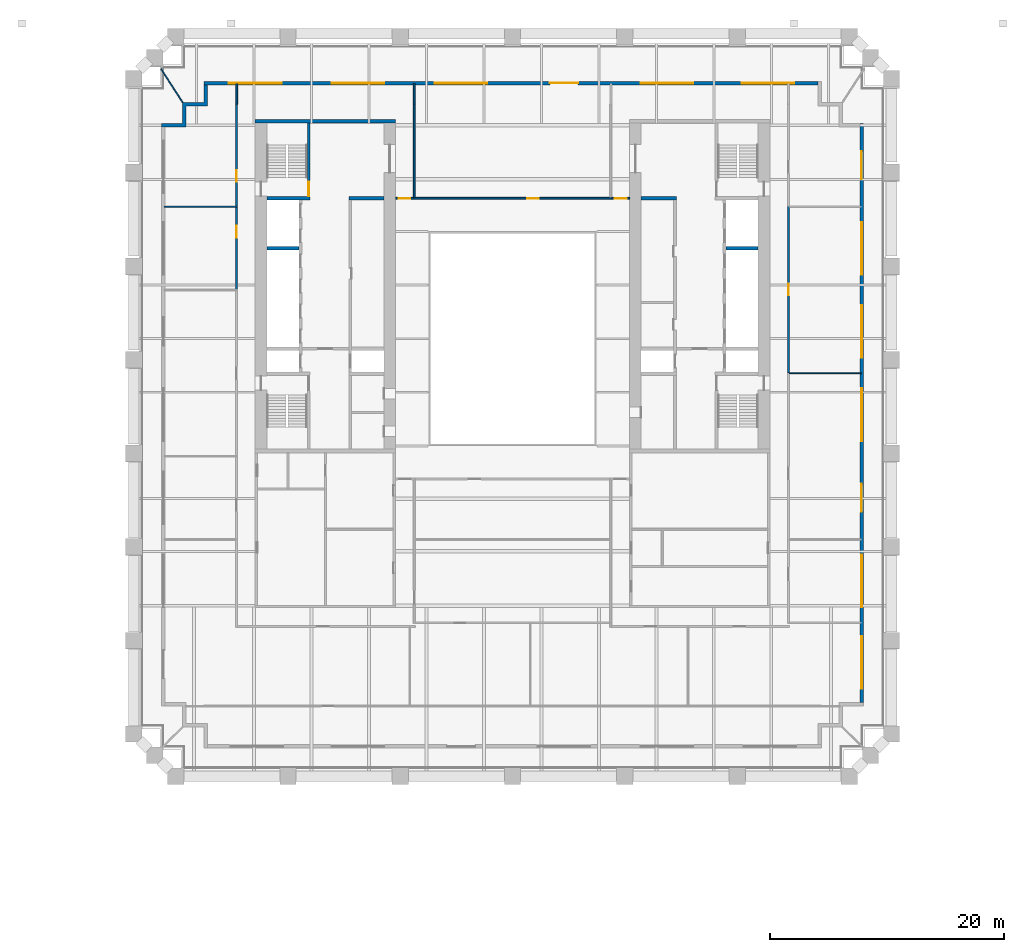
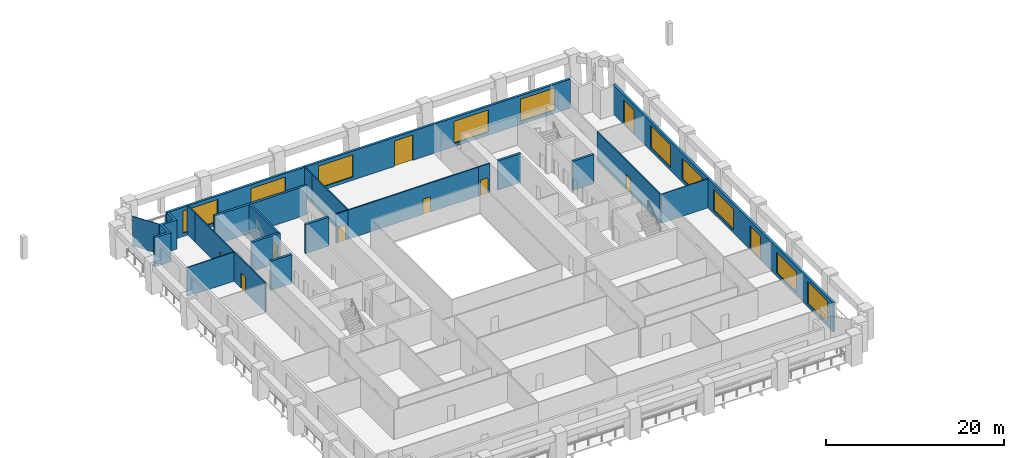
# One storey, part 7 of 10: 22 walls, 10 doors, 10 windows, 20 openings.
"""IFC4 building model written with IfcOpenShell, lengths in metres."""

from ifc_helpers import new_model, si_unit, direction, frame, frame_2d, origin, place, context, subcontext, project, spatial, polyline, rectangle, outline, extrude, material, layer, layer_set, type_object, element, fill, save


model = new_model("IFC4")

# Units and contexts
model_context = context("Model", 3, precision=1e-05, world=origin(), true_north=direction((0.0, 1.0)))
body_context = subcontext(model_context, "Body", "Model", "MODEL_VIEW")
ifc_project = project(units=[si_unit("LENGTHUNIT", "METRE"), si_unit("AREAUNIT", "SQUARE_METRE"), si_unit("VOLUMEUNIT", "CUBIC_METRE"), si_unit("PLANEANGLEUNIT", "RADIAN"), si_unit("MASSUNIT", "GRAM", prefix="KILO")], contexts=[model_context])

# Site, building, storey
site_placement = place(None, origin())
site = spatial("IfcSite", under=ifc_project, at=site_placement, CompositionType="ELEMENT")
building_placement = place(site_placement, origin())
building = spatial("IfcBuilding", under=site, at=building_placement, Name="Ogive Exchange Tower", CompositionType="ELEMENT")
storey_placement = place(building_placement, frame((0.0, 0.0, 48.0)))
storey = spatial("IfcBuildingStorey", under=building, at=storey_placement, Name="L09", CompositionType="ELEMENT", Elevation=48.0)

# Walls
ifc_material_1 = material(Name="Gypsum board partition")
ifc_layer_1 = layer(ifc_material_1, 0.300048828125)
ifc_layer_set_1 = layer_set([ifc_layer_1], Name="Core room partition 300 gypsum")
wall_type_1 = type_object("IfcWallType", Name="Core room partition 300 gypsum", PredefinedType="PARTITIONING", material=ifc_layer_set_1)
for number, where, z_axis, x_axis, name in (
    (1, (-14.0, 19.0, 0.0), (0.0, 0.0, 1.0), (1.0, 0.0, 0.0), "W row B room end wall 7"),
    (2, (11.0, 19.0, 0.0), (0.0, 0.0, 1.0), (1.0, 0.0, 0.0), "E row B room end wall 7"),
):
    element("IfcWall", number, at=place(storey_placement, frame(where, z_axis=z_axis, x_axis=x_axis)), inside=storey, type_object=wall_type_1, Name=name, PredefinedType="PARTITIONING", context=body_context, shape_type="SweptSolid", body=[
        extrude(rectangle(XDim=3.0, YDim=0.300048828125, at=frame_2d((1.5, 0.0))), origin(), (0.0, 0.0, 1.0), 4.0),
    ])

# Wall, opening, door
ifc_material_2 = material(Name="Fire partition EI 60 150")
ifc_layer_2 = layer(ifc_material_2, 0.14990234375)
ifc_layer_set_2 = layer_set([ifc_layer_2], Name="Fire partition EI 60 150")
wall_type_2 = type_object("IfcWallType", Name="Fire partition EI 60 150", PredefinedType="PARTITIONING", material=ifc_layer_set_2)
wall_1_placement = place(storey_placement, frame((-23.60009765625, 11.219970703125, 0.0), z_axis=(0.0, 0.0, 1.0), x_axis=(0.0, 1.0, 0.0)))
wall_1 = element("IfcWall", 3, at=wall_1_placement, inside=storey, type_object=wall_type_2, Name="L09-PWL-010", PredefinedType="PARTITIONING", context=body_context, shape_type="SweptSolid", body=[
    extrude(rectangle(XDim=7.02001953125, YDim=0.14990234375, at=frame_2d((3.510009765625, 0.0))), origin(), (0.0, 0.0, 1.0), 4.0),
])
opening_1_placement = place(wall_1_placement, frame((4.419921875, 0.0, 0.0)))
opening_1 = element("IfcOpeningElement", 4, at=opening_1_placement, cuts=wall_1, Name="Opening L09-I04", PredefinedType="OPENING", context=body_context, shape_type="SweptSolid", body=[
    extrude(rectangle(XDim=1.0, YDim=2.10009765625, at=frame_2d((0.5, 1.050048828125))), frame((0.0, 0.0849609375, 0.0), z_axis=(0.0, -1.0, 0.0), x_axis=(1.0, 0.0, 0.0)), (0.0, 0.0, 1.0), 0.169921875),
])
ifc_material_3 = material(Name="Fire door FD 30S 1000 x 2100")
door_type_1 = type_object("IfcDoorType", Name="Fire door FD 30S 1000 x 2100", OperationType="NOTDEFINED", PredefinedType="DOOR", material=ifc_material_3)
door_1_placement = place(opening_1_placement, origin())
door_1 = element("IfcDoor", 5, at=door_1_placement, inside=storey, type_object=door_type_1, Name="L09-IDR-004", ObjectType="DT3", OperationType="SINGLE_SWING_LEFT", OverallHeight=2.10009765625, OverallWidth=1.0, PredefinedType="DOOR", context=body_context, shape_type="SweptSolid", body=[
    extrude(rectangle(XDim=1.0, YDim=2.10009765625, at=frame_2d((0.5, 1.050048828125))), frame((0.0, 0.02490234375, 0.0), z_axis=(0.0, -1.0, 0.0), x_axis=(1.0, 0.0, 0.0)), (0.0, 0.0, 1.0), 0.050048828125),
])
fill(opening_1, door_1)

wall_2_placement = place(storey_placement, frame((-23.60009765625, 18.340087890625, 0.0), z_axis=(0.0, 0.0, 1.0), x_axis=(0.0, 1.0, 0.0)))
wall_2 = element("IfcWall", 6, at=wall_2_placement, inside=storey, type_object=wall_type_2, Name="L09-PWL-011", PredefinedType="PARTITIONING", context=body_context, shape_type="SweptSolid", body=[
    extrude(rectangle(XDim=8.7099609375, YDim=0.14990234375, at=frame_2d((4.35498046875, 0.0))), origin(), (0.0, 0.0, 1.0), 4.0),
])
opening_2_placement = place(wall_2_placement, frame((2.06005859375, 0.0, 0.0)))
opening_2 = element("IfcOpeningElement", 7, at=opening_2_placement, cuts=wall_2, Name="Opening L09-I09", PredefinedType="OPENING", context=body_context, shape_type="SweptSolid", body=[
    extrude(rectangle(XDim=1.0, YDim=2.10009765625, at=frame_2d((0.5, 1.050048828125))), frame((0.0, 0.0849609375, 0.0), z_axis=(0.0, -1.0, 0.0), x_axis=(1.0, 0.0, 0.0)), (0.0, 0.0, 1.0), 0.169921875),
])
door_2_placement = place(opening_2_placement, origin())
door_2 = element("IfcDoor", 8, at=door_2_placement, inside=storey, type_object=door_type_1, Name="L09-IDR-009", ObjectType="DT3", OperationType="SINGLE_SWING_RIGHT", OverallHeight=2.10009765625, OverallWidth=1.0, PredefinedType="DOOR", context=body_context, shape_type="SweptSolid", body=[
    extrude(rectangle(XDim=1.0, YDim=2.10009765625, at=frame_2d((0.5, 1.050048828125))), frame((0.0, 0.02490234375, 0.0), z_axis=(0.0, -1.0, 0.0), x_axis=(1.0, 0.0, 0.0)), (0.0, 0.0, 1.0), 0.050048828125),
])
fill(opening_2, door_2)

# Walls
for number, where, z_axis, x_axis, name in (
    (9, (-23.590087890625, 27.050048828125, 0.0), (0.0, 0.0, 1.0), (0.0, 1.0, 0.0), "L09-PWL-012"),
    (10, (-8.409912109375, 28.800048828125, 0.0), (0.0, 0.0, 1.0), (0.0, -1.0, 0.0), "L09-PWL-016"),
):
    element("IfcWall", number, at=place(storey_placement, frame(where, z_axis=z_axis, x_axis=x_axis)), inside=storey, type_object=wall_type_2, Name=name, PredefinedType="PARTITIONING", context=body_context, shape_type="SweptSolid", body=[
        extrude(rectangle(XDim=1.75, YDim=0.14990234375, at=frame_2d((0.875, 0.0))), origin(), (0.0, 0.0, 1.0), 4.0),
    ])

# Wall, opening, door
wall_3_placement = place(storey_placement, frame((-8.47509765625, 19.0, 0.0), z_axis=(0.0, 0.0, 1.0), x_axis=(1.0, 0.0, 0.0)))
wall_3 = element("IfcWall", 11, at=wall_3_placement, inside=storey, type_object=wall_type_2, Name="L09-PWL-020", PredefinedType="PARTITIONING", context=body_context, shape_type="SweptSolid", body=[
    extrude(rectangle(XDim=16.9501953125, YDim=0.14990234375, at=frame_2d((8.47509765625, 0.0))), origin(), (0.0, 0.0, 1.0), 4.0),
])
opening_3_placement = place(wall_3_placement, frame((9.72509765625, 0.0, 0.0)))
opening_3 = element("IfcOpeningElement", 12, at=opening_3_placement, cuts=wall_3, Name="Opening L09-I08", PredefinedType="OPENING", context=body_context, shape_type="SweptSolid", body=[
    extrude(rectangle(XDim=1.0, YDim=2.10009765625, at=frame_2d((0.5, 1.050048828125))), frame((0.0, 0.0849609375, 0.0), z_axis=(0.0, -1.0, 0.0), x_axis=(1.0, 0.0, 0.0)), (0.0, 0.0, 1.0), 0.169921875),
])
door_3_placement = place(opening_3_placement, origin())
door_3 = element("IfcDoor", 13, at=door_3_placement, inside=storey, type_object=door_type_1, Name="L09-IDR-008", ObjectType="DT3", OperationType="SINGLE_SWING_RIGHT", OverallHeight=2.10009765625, OverallWidth=1.0, PredefinedType="DOOR", context=body_context, shape_type="SweptSolid", body=[
    extrude(rectangle(XDim=1.0, YDim=2.10009765625, at=frame_2d((0.5, 1.050048828125))), frame((0.0, 0.02490234375, 0.0), z_axis=(0.0, -1.0, 0.0), x_axis=(1.0, 0.0, 0.0)), (0.0, 0.0, 1.0), 0.050048828125),
])
fill(opening_3, door_3)

# Wall
wall_4_placement = place(storey_placement, frame((-8.39990234375, 27.050048828125, 0.0), z_axis=(0.0, 0.0, 1.0), x_axis=(0.0, -1.0, 0.0)))
element("IfcWall", 14, at=wall_4_placement, inside=storey, type_object=wall_type_2, Name="L09-PWL-021", PredefinedType="PARTITIONING", context=body_context, shape_type="SweptSolid", body=[
    extrude(rectangle(XDim=7.97509765625, YDim=0.14990234375, at=frame_2d((3.987548828125, 0.0))), origin(), (0.0, 0.0, 1.0), 4.0),
])

# Wall, opening, door
wall_5_placement = place(storey_placement, frame((23.60009765625, 18.340087890625, 0.0), z_axis=(0.0, 0.0, 1.0), x_axis=(0.0, -1.0, 0.0)))
wall_5 = element("IfcWall", 15, at=wall_5_placement, inside=storey, type_object=wall_type_2, Name="L09-PWL-041", PredefinedType="PARTITIONING", context=body_context, shape_type="SweptSolid", body=[
    extrude(rectangle(XDim=14.22998046875, YDim=0.14990234375, at=frame_2d((7.114990234375, 0.0))), origin(), (0.0, 0.0, 1.0), 4.0),
])
opening_4_placement = place(wall_5_placement, frame((6.6298828125, 0.0, 0.0)))
opening_4 = element("IfcOpeningElement", 16, at=opening_4_placement, cuts=wall_5, Name="Opening L09-I06", PredefinedType="OPENING", context=body_context, shape_type="SweptSolid", body=[
    extrude(rectangle(XDim=1.0, YDim=2.10009765625, at=frame_2d((0.5, 1.050048828125))), frame((0.0, 0.0849609375, 0.0), z_axis=(0.0, -1.0, 0.0), x_axis=(1.0, 0.0, 0.0)), (0.0, 0.0, 1.0), 0.169921875),
])
door_4_placement = place(opening_4_placement, origin())
door_4 = element("IfcDoor", 17, at=door_4_placement, inside=storey, type_object=door_type_1, Name="L09-IDR-006", ObjectType="DT3", OperationType="SINGLE_SWING_LEFT", OverallHeight=2.10009765625, OverallWidth=1.0, PredefinedType="DOOR", context=body_context, shape_type="SweptSolid", body=[
    extrude(rectangle(XDim=1.0, YDim=2.10009765625, at=frame_2d((0.5, 1.050048828125))), frame((0.0, 0.02490234375, 0.0), z_axis=(0.0, -1.0, 0.0), x_axis=(1.0, 0.0, 0.0)), (0.0, 0.0, 1.0), 0.050048828125),
])
fill(opening_4, door_4)

wall_6_placement = place(storey_placement, frame((-10.0, 19.0, 0.0), z_axis=(0.0, 0.0, 1.0), x_axis=(1.0, 0.0, 0.0)))
wall_6 = element("IfcWall", 18, at=wall_6_placement, inside=storey, type_object=wall_type_2, Name="L09-PWL-047", PredefinedType="PARTITIONING", context=body_context, shape_type="SweptSolid", body=[
    extrude(rectangle(XDim=1.514892578125, YDim=0.14990234375, at=frame_2d((0.75732421875, 0.0))), origin(), (0.0, 0.0, 1.0), 4.0),
])
opening_5_placement = place(wall_6_placement, frame((0.258056640625, 0.0, 0.0)))
opening_5 = element("IfcOpeningElement", 19, at=opening_5_placement, cuts=wall_6, Name="Opening L09-I17", PredefinedType="OPENING", context=body_context, shape_type="SweptSolid", body=[
    extrude(rectangle(XDim=1.0, YDim=2.10009765625, at=frame_2d((0.5, 1.050048828125))), frame((0.0, 0.0849609375, 0.0), z_axis=(0.0, -1.0, 0.0), x_axis=(1.0, 0.0, 0.0)), (0.0, 0.0, 1.0), 0.169921875),
])
door_5_placement = place(opening_5_placement, origin())
door_5 = element("IfcDoor", 20, at=door_5_placement, inside=storey, type_object=door_type_1, Name="L09-IDR-017", ObjectType="DT3", OperationType="SINGLE_SWING_RIGHT", OverallHeight=2.10009765625, OverallWidth=1.0, PredefinedType="DOOR", context=body_context, shape_type="SweptSolid", body=[
    extrude(rectangle(XDim=1.0, YDim=2.10009765625, at=frame_2d((0.5, 1.050048828125))), frame((0.0, 0.02490234375, 0.0), z_axis=(0.0, -1.0, 0.0), x_axis=(1.0, 0.0, 0.0)), (0.0, 0.0, 1.0), 0.050048828125),
])
fill(opening_5, door_5)

wall_7_placement = place(storey_placement, frame((8.485107421875, 19.0, 0.0), z_axis=(0.0, 0.0, 1.0), x_axis=(1.0, 0.0, 0.0)))
wall_7 = element("IfcWall", 21, at=wall_7_placement, inside=storey, type_object=wall_type_2, Name="L09-PWL-049", PredefinedType="PARTITIONING", context=body_context, shape_type="SweptSolid", body=[
    extrude(rectangle(XDim=1.514892578125, YDim=0.14990234375, at=frame_2d((0.75732421875, 0.0))), origin(), (0.0, 0.0, 1.0), 4.0),
])
opening_6_placement = place(wall_7_placement, frame((0.258056640625, 0.0, 0.0)))
opening_6 = element("IfcOpeningElement", 22, at=opening_6_placement, cuts=wall_7, Name="Opening L09-I19", PredefinedType="OPENING", context=body_context, shape_type="SweptSolid", body=[
    extrude(rectangle(XDim=1.0, YDim=2.10009765625, at=frame_2d((0.5, 1.050048828125))), frame((0.0, 0.0849609375, 0.0), z_axis=(0.0, -1.0, 0.0), x_axis=(1.0, 0.0, 0.0)), (0.0, 0.0, 1.0), 0.169921875),
])
door_6_placement = place(opening_6_placement, origin())
door_6 = element("IfcDoor", 23, at=door_6_placement, inside=storey, type_object=door_type_1, Name="L09-IDR-019", ObjectType="DT3", OperationType="SINGLE_SWING_LEFT", OverallHeight=2.10009765625, OverallWidth=1.0, PredefinedType="DOOR", context=body_context, shape_type="SweptSolid", body=[
    extrude(rectangle(XDim=1.0, YDim=2.10009765625, at=frame_2d((0.5, 1.050048828125))), frame((0.0, 0.02490234375, 0.0), z_axis=(0.0, -1.0, 0.0), x_axis=(1.0, 0.0, 0.0)), (0.0, 0.0, 1.0), 0.050048828125),
])
fill(opening_6, door_6)

# Wall, openings, doors, windows
ifc_material_4 = material(Name="Precast concrete C40/50", Category="concrete")
ifc_layer_3 = layer(ifc_material_4, 0.300048828125)
ifc_layer_set_3 = layer_set([ifc_layer_3], Name="Limestone-faced wall 300")
wall_type_3 = type_object("IfcWallType", Name="Limestone-faced wall 300", PredefinedType="STANDARD", material=ifc_layer_set_3)
wall_8_placement = place(storey_placement, frame((29.85009765625, -24.10009765625, 0.0), z_axis=(0.0, 0.0, 1.0), x_axis=(0.0, 1.0, 0.0)))
wall_8 = element("IfcWall", 24, at=wall_8_placement, inside=storey, type_object=wall_type_3, Name="External wall E2", PredefinedType="STANDARD", context=body_context, shape_type="SweptSolid", body=[
    extrude(rectangle(XDim=49.5, YDim=0.300048828125, at=frame_2d((24.75, 0.0))), origin(), (0.0, 0.0, 1.0), 4.0),
])
opening_7_placement = place(wall_8_placement, frame((1.156982421875, 0.0, 0.449951171875)))
opening_7 = element("IfcOpeningElement", 25, at=opening_7_placement, cuts=wall_8, Name="Opening W1", PredefinedType="OPENING", context=body_context, shape_type="SweptSolid", body=[
    extrude(rectangle(XDim=4.5, YDim=3.050048828125, at=frame_2d((2.25, 1.52490234375))), frame((0.0, 0.159912109375, 0.0), z_axis=(0.0, -1.0, 0.0), x_axis=(1.0, 0.0, 0.0)), (0.0, 0.0, 1.0), 0.320068359375),
])
opening_8_placement = place(wall_8_placement, frame((8.121337890625, 0.0, 0.449951171875)))
opening_8 = element("IfcOpeningElement", 26, at=opening_8_placement, cuts=wall_8, Name="Opening W1E", PredefinedType="OPENING", context=body_context, shape_type="SweptSolid", body=[
    extrude(rectangle(XDim=4.5, YDim=2.824951171875, at=frame_2d((2.25, 1.41259765625))), frame((0.0, 0.159912109375, 0.0), z_axis=(0.0, -1.0, 0.0), x_axis=(1.0, 0.0, 0.0)), (0.0, 0.0, 1.0), 0.320068359375),
])
opening_9_placement = place(wall_8_placement, frame((16.28564453125, 0.0, 0.0)))
opening_9 = element("IfcOpeningElement", 27, at=opening_9_placement, cuts=wall_8, Name="Opening D1C", PredefinedType="OPENING", context=body_context, shape_type="SweptSolid", body=[
    extrude(rectangle(XDim=2.39990234375, YDim=3.324951171875, at=frame_2d((1.199951171875, 1.66259765625))), frame((0.0, 0.159912109375, 0.0), z_axis=(0.0, -1.0, 0.0), x_axis=(1.0, 0.0, 0.0)), (0.0, 0.0, 1.0), 0.320068359375),
])
opening_10_placement = place(wall_8_placement, frame((22.35009765625, 0.0, 0.449951171875)))
opening_10 = element("IfcOpeningElement", 28, at=opening_10_placement, cuts=wall_8, Name="Opening W1D", PredefinedType="OPENING", context=body_context, shape_type="SweptSolid", body=[
    extrude(rectangle(XDim=4.5, YDim=2.875, at=frame_2d((2.25, 1.4375))), frame((0.0, 0.159912109375, 0.0), z_axis=(0.0, -1.0, 0.0), x_axis=(1.0, 0.0, 0.0)), (0.0, 0.0, 1.0), 0.320068359375),
])
opening_11_placement = place(wall_8_placement, frame((29.464111328125, 0.0, 0.449951171875)))
opening_11 = element("IfcOpeningElement", 29, at=opening_11_placement, cuts=wall_8, Name="Opening W1D", PredefinedType="OPENING", context=body_context, shape_type="SweptSolid", body=[
    extrude(rectangle(XDim=4.5, YDim=2.875, at=frame_2d((2.25, 1.4375))), frame((0.0, 0.159912109375, 0.0), z_axis=(0.0, -1.0, 0.0), x_axis=(1.0, 0.0, 0.0)), (0.0, 0.0, 1.0), 0.320068359375),
])
opening_12_placement = place(wall_8_placement, frame((36.57861328125, 0.0, 0.449951171875)))
opening_12 = element("IfcOpeningElement", 30, at=opening_12_placement, cuts=wall_8, Name="Opening W1", PredefinedType="OPENING", context=body_context, shape_type="SweptSolid", body=[
    extrude(rectangle(XDim=4.5, YDim=3.050048828125, at=frame_2d((2.25, 1.52490234375))), frame((0.0, 0.159912109375, 0.0), z_axis=(0.0, -1.0, 0.0), x_axis=(1.0, 0.0, 0.0)), (0.0, 0.0, 1.0), 0.320068359375),
])
opening_13_placement = place(wall_8_placement, frame((44.742919921875, 0.0, 0.0)))
opening_13 = element("IfcOpeningElement", 31, at=opening_13_placement, cuts=wall_8, Name="Opening D1C", PredefinedType="OPENING", context=body_context, shape_type="SweptSolid", body=[
    extrude(rectangle(XDim=2.39990234375, YDim=3.324951171875, at=frame_2d((1.199951171875, 1.66259765625))), frame((0.0, 0.159912109375, 0.0), z_axis=(0.0, -1.0, 0.0), x_axis=(1.0, 0.0, 0.0)), (0.0, 0.0, 1.0), 0.320068359375),
])
ifc_material_5 = material(Name="Clear glass in bronze frame", Category="glass")
door_type_2 = type_object("IfcDoorType", Name="Sliding loggia door 2400 x 3325", OperationType="DOUBLE_DOOR_SLIDING", PredefinedType="DOOR", material=ifc_material_5)
door_7_placement = place(opening_9_placement, origin())
door_7 = element("IfcDoor", 32, at=door_7_placement, inside=storey, type_object=door_type_2, Name="Loggia door E02", OperationType="DOUBLE_DOOR_SLIDING", OverallHeight=3.324951171875, OverallWidth=2.39990234375, PredefinedType="DOOR", context=body_context, shape_type="SweptSolid", body=[
    extrude(rectangle(XDim=2.39990234375, YDim=3.324951171875, at=frame_2d((1.199951171875, 1.66259765625))), frame((0.0, 0.02490234375, 0.0), z_axis=(0.0, -1.0, 0.0), x_axis=(1.0, 0.0, 0.0)), (0.0, 0.0, 1.0), 0.050048828125),
])
fill(opening_9, door_7)
door_8_placement = place(opening_13_placement, origin())
door_8 = element("IfcDoor", 33, at=door_8_placement, inside=storey, type_object=door_type_2, Name="Loggia door E06", OperationType="DOUBLE_DOOR_SLIDING", OverallHeight=3.324951171875, OverallWidth=2.39990234375, PredefinedType="DOOR", context=body_context, shape_type="SweptSolid", body=[
    extrude(rectangle(XDim=2.39990234375, YDim=3.324951171875, at=frame_2d((1.199951171875, 1.66259765625))), frame((0.0, 0.02490234375, 0.0), z_axis=(0.0, -1.0, 0.0), x_axis=(1.0, 0.0, 0.0)), (0.0, 0.0, 1.0), 0.050048828125),
])
fill(opening_13, door_8)
window_type_1 = type_object("IfcWindowType", Name="Twin lancet window 4500 x 2825", PartitioningType="DOUBLE_PANEL_VERTICAL", PredefinedType="WINDOW", material=ifc_material_5)
window_1_placement = place(opening_8_placement, origin())
window_1 = element("IfcWindow", 34, at=window_1_placement, inside=storey, type_object=window_type_1, Name="Window E01", OverallHeight=2.824951171875, OverallWidth=4.5, PartitioningType="DOUBLE_PANEL_VERTICAL", PredefinedType="WINDOW", context=body_context, shape_type="SweptSolid", body=[
    extrude(rectangle(XDim=4.5, YDim=2.824951171875, at=frame_2d((2.25, 1.41259765625))), frame((0.0, 0.030029296875, 0.0), z_axis=(0.0, -1.0, 0.0), x_axis=(1.0, 0.0, 0.0)), (0.0, 0.0, 1.0), 0.06005859375),
])
fill(opening_8, window_1)
window_type_2 = type_object("IfcWindowType", Name="Twin lancet window 4500 x 2875", PartitioningType="DOUBLE_PANEL_VERTICAL", PredefinedType="WINDOW", material=ifc_material_5)
window_2_placement = place(opening_10_placement, origin())
window_2 = element("IfcWindow", 35, at=window_2_placement, inside=storey, type_object=window_type_2, Name="Window E03", OverallHeight=2.875, OverallWidth=4.5, PartitioningType="DOUBLE_PANEL_VERTICAL", PredefinedType="WINDOW", context=body_context, shape_type="SweptSolid", body=[
    extrude(rectangle(XDim=4.5, YDim=2.875, at=frame_2d((2.25, 1.4375))), frame((0.0, 0.030029296875, 0.0), z_axis=(0.0, -1.0, 0.0), x_axis=(1.0, 0.0, 0.0)), (0.0, 0.0, 1.0), 0.06005859375),
])
fill(opening_10, window_2)
window_3_placement = place(opening_11_placement, origin())
window_3 = element("IfcWindow", 36, at=window_3_placement, inside=storey, type_object=window_type_2, Name="Window E04", OverallHeight=2.875, OverallWidth=4.5, PartitioningType="DOUBLE_PANEL_VERTICAL", PredefinedType="WINDOW", context=body_context, shape_type="SweptSolid", body=[
    extrude(rectangle(XDim=4.5, YDim=2.875, at=frame_2d((2.25, 1.4375))), frame((0.0, 0.030029296875, 0.0), z_axis=(0.0, -1.0, 0.0), x_axis=(1.0, 0.0, 0.0)), (0.0, 0.0, 1.0), 0.06005859375),
])
fill(opening_11, window_3)
window_type_3 = type_object("IfcWindowType", Name="Twin lancet window 4500 x 3050", PartitioningType="DOUBLE_PANEL_VERTICAL", PredefinedType="WINDOW", material=ifc_material_5)
window_4_placement = place(opening_7_placement, origin())
window_4 = element("IfcWindow", 37, at=window_4_placement, inside=storey, type_object=window_type_3, Name="Window E00", OverallHeight=3.050048828125, OverallWidth=4.5, PartitioningType="DOUBLE_PANEL_VERTICAL", PredefinedType="WINDOW", context=body_context, shape_type="SweptSolid", body=[
    extrude(rectangle(XDim=4.5, YDim=3.050048828125, at=frame_2d((2.25, 1.52490234375))), frame((0.0, 0.030029296875, 0.0), z_axis=(0.0, -1.0, 0.0), x_axis=(1.0, 0.0, 0.0)), (0.0, 0.0, 1.0), 0.06005859375),
])
fill(opening_7, window_4)
window_5_placement = place(opening_12_placement, origin())
window_5 = element("IfcWindow", 38, at=window_5_placement, inside=storey, type_object=window_type_3, Name="Window E05", OverallHeight=3.050048828125, OverallWidth=4.5, PartitioningType="DOUBLE_PANEL_VERTICAL", PredefinedType="WINDOW", context=body_context, shape_type="SweptSolid", body=[
    extrude(rectangle(XDim=4.5, YDim=3.050048828125, at=frame_2d((2.25, 1.52490234375))), frame((0.0, 0.030029296875, 0.0), z_axis=(0.0, -1.0, 0.0), x_axis=(1.0, 0.0, 0.0)), (0.0, 0.0, 1.0), 0.06005859375),
])
fill(opening_12, window_5)

# Wall, openings, door, windows
wall_9_placement = place(storey_placement, frame((26.10009765625, 28.85009765625, 0.0), z_axis=(0.0, 0.0, 1.0), x_axis=(-1.0, 0.0, 0.0)))
wall_9 = element("IfcWall", 39, at=wall_9_placement, inside=storey, type_object=wall_type_3, Name="External wall N3", PredefinedType="STANDARD", context=body_context, shape_type="SweptSolid", body=[
    extrude(rectangle(XDim=52.5, YDim=0.300048828125, at=frame_2d((26.25, 0.0))), origin(), (0.0, 0.0, 1.0), 4.0),
])
opening_14_placement = place(wall_9_placement, frame((2.0, 0.0, 0.449951171875)))
opening_14 = element("IfcOpeningElement", 40, at=opening_14_placement, cuts=wall_9, Name="Opening W1", PredefinedType="OPENING", context=body_context, shape_type="SweptSolid", body=[
    extrude(rectangle(XDim=4.5, YDim=3.050048828125, at=frame_2d((2.25, 1.52490234375))), frame((0.0, 0.159912109375, 0.0), z_axis=(0.0, -1.0, 0.0), x_axis=(1.0, 0.0, 0.0)), (0.0, 0.0, 1.0), 0.320068359375),
])
opening_15_placement = place(wall_9_placement, frame((10.64990234375, 0.0, 0.449951171875)))
opening_15 = element("IfcOpeningElement", 41, at=opening_15_placement, cuts=wall_9, Name="Opening W1", PredefinedType="OPENING", context=body_context, shape_type="SweptSolid", body=[
    extrude(rectangle(XDim=4.5, YDim=3.050048828125, at=frame_2d((2.25, 1.52490234375))), frame((0.0, 0.159912109375, 0.0), z_axis=(0.0, -1.0, 0.0), x_axis=(1.0, 0.0, 0.0)), (0.0, 0.0, 1.0), 0.320068359375),
])
opening_16_placement = place(wall_9_placement, frame((20.5, 0.0, 0.0)))
opening_16 = element("IfcOpeningElement", 42, at=opening_16_placement, cuts=wall_9, Name="Opening D1", PredefinedType="OPENING", context=body_context, shape_type="SweptSolid", body=[
    extrude(rectangle(XDim=2.39990234375, YDim=3.5, at=frame_2d((1.199951171875, 1.75))), frame((0.0, 0.159912109375, 0.0), z_axis=(0.0, -1.0, 0.0), x_axis=(1.0, 0.0, 0.0)), (0.0, 0.0, 1.0), 0.320068359375),
])
opening_17_placement = place(wall_9_placement, frame((28.25, 0.0, 0.449951171875)))
opening_17 = element("IfcOpeningElement", 43, at=opening_17_placement, cuts=wall_9, Name="Opening W1", PredefinedType="OPENING", context=body_context, shape_type="SweptSolid", body=[
    extrude(rectangle(XDim=4.5, YDim=3.050048828125, at=frame_2d((2.25, 1.52490234375))), frame((0.0, 0.159912109375, 0.0), z_axis=(0.0, -1.0, 0.0), x_axis=(1.0, 0.0, 0.0)), (0.0, 0.0, 1.0), 0.320068359375),
])
opening_18_placement = place(wall_9_placement, frame((37.050048828125, 0.0, 0.449951171875)))
opening_18 = element("IfcOpeningElement", 44, at=opening_18_placement, cuts=wall_9, Name="Opening W1", PredefinedType="OPENING", context=body_context, shape_type="SweptSolid", body=[
    extrude(rectangle(XDim=4.5, YDim=3.050048828125, at=frame_2d((2.25, 1.52490234375))), frame((0.0, 0.159912109375, 0.0), z_axis=(0.0, -1.0, 0.0), x_axis=(1.0, 0.0, 0.0)), (0.0, 0.0, 1.0), 0.320068359375),
])
opening_19_placement = place(wall_9_placement, frame((45.85009765625, 0.0, 0.449951171875)))
opening_19 = element("IfcOpeningElement", 45, at=opening_19_placement, cuts=wall_9, Name="Opening W1", PredefinedType="OPENING", context=body_context, shape_type="SweptSolid", body=[
    extrude(rectangle(XDim=4.5, YDim=3.050048828125, at=frame_2d((2.25, 1.52490234375))), frame((0.0, 0.159912109375, 0.0), z_axis=(0.0, -1.0, 0.0), x_axis=(1.0, 0.0, 0.0)), (0.0, 0.0, 1.0), 0.320068359375),
])
door_type_3 = type_object("IfcDoorType", Name="Sliding loggia door 2400 x 3500", OperationType="DOUBLE_DOOR_SLIDING", PredefinedType="DOOR", material=ifc_material_5)
door_9_placement = place(opening_16_placement, origin())
door_9 = element("IfcDoor", 46, at=door_9_placement, inside=storey, type_object=door_type_3, Name="Loggia door N02", OperationType="DOUBLE_DOOR_SLIDING", OverallHeight=3.5, OverallWidth=2.39990234375, PredefinedType="DOOR", context=body_context, shape_type="SweptSolid", body=[
    extrude(rectangle(XDim=2.39990234375, YDim=3.5, at=frame_2d((1.199951171875, 1.75))), frame((0.0, 0.02490234375, 0.0), z_axis=(0.0, -1.0, 0.0), x_axis=(1.0, 0.0, 0.0)), (0.0, 0.0, 1.0), 0.050048828125),
])
fill(opening_16, door_9)
window_6_placement = place(opening_14_placement, origin())
window_6 = element("IfcWindow", 47, at=window_6_placement, inside=storey, type_object=window_type_3, Name="Window N00", OverallHeight=3.050048828125, OverallWidth=4.5, PartitioningType="DOUBLE_PANEL_VERTICAL", PredefinedType="WINDOW", context=body_context, shape_type="SweptSolid", body=[
    extrude(rectangle(XDim=4.5, YDim=3.050048828125, at=frame_2d((2.25, 1.52490234375))), frame((0.0, 0.030029296875, 0.0), z_axis=(0.0, -1.0, 0.0), x_axis=(1.0, 0.0, 0.0)), (0.0, 0.0, 1.0), 0.06005859375),
])
fill(opening_14, window_6)
window_7_placement = place(opening_15_placement, origin())
window_7 = element("IfcWindow", 48, at=window_7_placement, inside=storey, type_object=window_type_3, Name="Window N01", OverallHeight=3.050048828125, OverallWidth=4.5, PartitioningType="DOUBLE_PANEL_VERTICAL", PredefinedType="WINDOW", context=body_context, shape_type="SweptSolid", body=[
    extrude(rectangle(XDim=4.5, YDim=3.050048828125, at=frame_2d((2.25, 1.52490234375))), frame((0.0, 0.030029296875, 0.0), z_axis=(0.0, -1.0, 0.0), x_axis=(1.0, 0.0, 0.0)), (0.0, 0.0, 1.0), 0.06005859375),
])
fill(opening_15, window_7)
window_8_placement = place(opening_17_placement, origin())
window_8 = element("IfcWindow", 49, at=window_8_placement, inside=storey, type_object=window_type_3, Name="Window N03", OverallHeight=3.050048828125, OverallWidth=4.5, PartitioningType="DOUBLE_PANEL_VERTICAL", PredefinedType="WINDOW", context=body_context, shape_type="SweptSolid", body=[
    extrude(rectangle(XDim=4.5, YDim=3.050048828125, at=frame_2d((2.25, 1.52490234375))), frame((0.0, 0.030029296875, 0.0), z_axis=(0.0, -1.0, 0.0), x_axis=(1.0, 0.0, 0.0)), (0.0, 0.0, 1.0), 0.06005859375),
])
fill(opening_17, window_8)
window_9_placement = place(opening_18_placement, origin())
window_9 = element("IfcWindow", 50, at=window_9_placement, inside=storey, type_object=window_type_3, Name="Window N04", OverallHeight=3.050048828125, OverallWidth=4.5, PartitioningType="DOUBLE_PANEL_VERTICAL", PredefinedType="WINDOW", context=body_context, shape_type="SweptSolid", body=[
    extrude(rectangle(XDim=4.5, YDim=3.050048828125, at=frame_2d((2.25, 1.52490234375))), frame((0.0, 0.030029296875, 0.0), z_axis=(0.0, -1.0, 0.0), x_axis=(1.0, 0.0, 0.0)), (0.0, 0.0, 1.0), 0.06005859375),
])
fill(opening_18, window_9)
window_10_placement = place(opening_19_placement, origin())
window_10 = element("IfcWindow", 51, at=window_10_placement, inside=storey, type_object=window_type_3, Name="Window N05", OverallHeight=3.050048828125, OverallWidth=4.5, PartitioningType="DOUBLE_PANEL_VERTICAL", PredefinedType="WINDOW", context=body_context, shape_type="SweptSolid", body=[
    extrude(rectangle(XDim=4.5, YDim=3.050048828125, at=frame_2d((2.25, 1.52490234375))), frame((0.0, 0.030029296875, 0.0), z_axis=(0.0, -1.0, 0.0), x_axis=(1.0, 0.0, 0.0)), (0.0, 0.0, 1.0), 0.06005859375),
])
fill(opening_19, window_10)

# Walls
wall_10_placement = place(storey_placement, origin())
element("IfcWall", 52, at=wall_10_placement, inside=storey, type_object=wall_type_3, Name="External corner wall C3", PredefinedType="STANDARD", context=body_context, shape_type="SweptSolid", body=[
    extrude(outline(polyline([(-28.199951171875, 25.39990234375), (-28.199951171875, 27.199951171875), (-26.39990234375, 27.199951171875), (-26.39990234375, 28.699951171875), (-26.10009765625, 28.699951171875), (-26.10009765625, 26.89990234375), (-27.89990234375, 26.89990234375), (-27.89990234375, 25.10009765625), (-30.0, 25.10009765625), (-30.0, 25.39990234375), (-28.199951171875, 25.39990234375)])), origin(), (0.0, 0.0, 1.0), 4.0),
])
ifc_material_6 = material(Name="Laminated safety glass in steel frame", Category="steel")
ifc_layer_4 = layer(ifc_material_6, 0.10009765625)
ifc_layer_set_4 = layer_set([ifc_layer_4], Name="Loggia end screen 100")
wall_type_4 = type_object("IfcWallType", Name="Loggia end screen 100", PredefinedType="STANDARD", material=ifc_layer_set_4)
wall_11_placement = place(storey_placement, frame((-28.199951171875, 27.199951171875, -0.050048828125), z_axis=(0.0, 0.0, 1.0), x_axis=(-0.543224544992, 0.839587454479, 0.0)))
element("IfcWall", 53, at=wall_11_placement, inside=storey, type_object=wall_type_4, Name="Loggia end screen C3", PredefinedType="STANDARD", context=body_context, shape_type="SweptSolid", body=[
    extrude(rectangle(XDim=3.407958984375, YDim=0.10009765625, at=frame_2d((1.7041015625, 0.0))), origin(), (0.0, 0.0, 1.0), 4.050048828125),
])
ifc_material_7 = material(Name="Partition 100 gypsum")
ifc_layer_5 = layer(ifc_material_7, 0.10009765625)
ifc_layer_set_5 = layer_set([ifc_layer_5], Name="Partition 100 gypsum")
wall_type_5 = type_object("IfcWallType", Name="Partition 100 gypsum", PredefinedType="PARTITIONING", material=ifc_layer_set_5)
wall_12_placement = place(storey_placement, frame((-29.800048828125, 18.2900390625, 0.0), z_axis=(0.0, 0.0, 1.0), x_axis=(1.0, 0.0, 0.0)))
element("IfcWall", 54, at=wall_12_placement, inside=storey, type_object=wall_type_5, Name="L09-PWL-003", PredefinedType="PARTITIONING", context=body_context, shape_type="SweptSolid", body=[
    extrude(rectangle(XDim=6.275146484375, YDim=0.10009765625, at=frame_2d((3.1376953125, 0.0))), origin(), (0.0, 0.0, 1.0), 4.0),
])
wall_13_placement = place(storey_placement, frame((23.675048828125, 4.06005859375, 0.0), z_axis=(0.0, 0.0, 1.0), x_axis=(1.0, 0.0, 0.0)))
element("IfcWall", 55, at=wall_13_placement, inside=storey, type_object=wall_type_5, Name="L09-PWL-040", PredefinedType="PARTITIONING", context=body_context, shape_type="SweptSolid", body=[
    extrude(rectangle(XDim=6.125, YDim=0.10009765625, at=frame_2d((3.0625, 0.0))), origin(), (0.0, 0.0, 1.0), 4.0),
])

# Wall, opening, door
ifc_material_8 = material(Name="Concrete C70/85", Category="concrete")
ifc_layer_6 = layer(ifc_material_8, 0.25)
ifc_layer_set_6 = layer_set([ifc_layer_6], Name="RC core wall 250 C70/85")
wall_type_6 = type_object("IfcWallType", Name="RC core wall 250 C70/85", PredefinedType="SHEAR", material=ifc_layer_set_6)
wall_14_placement = place(storey_placement, frame((-17.425048828125, 19.14990234375, 0.0), z_axis=(0.0, 0.0, 1.0), x_axis=(0.0, 1.0, 0.0)))
wall_14 = element("IfcWall", 56, at=wall_14_placement, inside=storey, type_object=wall_type_6, Name="W stair N front wall", PredefinedType="SHEAR", context=body_context, shape_type="SweptSolid", body=[
    extrude(rectangle(XDim=6.300048828125, YDim=0.25, at=frame_2d((3.14990234375, 0.0))), origin(), (0.0, 0.0, 1.0), 4.0),
])
opening_20_placement = place(wall_14_placement, frame((0.050048828125, 0.0, 0.0)))
opening_20 = element("IfcOpeningElement", 57, at=opening_20_placement, cuts=wall_14, Name="Opening L09-C14", PredefinedType="OPENING", context=body_context, shape_type="SweptSolid", body=[
    extrude(rectangle(XDim=1.199951171875, YDim=2.10009765625, at=frame_2d((0.60009765625, 1.050048828125))), frame((0.0, 0.135009765625, 0.0), z_axis=(0.0, -1.0, 0.0), x_axis=(1.0, 0.0, 0.0)), (0.0, 0.0, 1.0), 0.27001953125),
])
ifc_material_9 = material(Name="Steel fire door", Category="steel")
door_type_4 = type_object("IfcDoorType", Name="Stair door FD90 1200 x 2100", OperationType="NOTDEFINED", PredefinedType="DOOR", material=ifc_material_9)
door_10_placement = place(opening_20_placement, origin())
door_10 = element("IfcDoor", 58, at=door_10_placement, inside=storey, type_object=door_type_4, Name="Stair door", ObjectType="CD5", OperationType="SINGLE_SWING_RIGHT", OverallHeight=2.10009765625, OverallWidth=1.199951171875, PredefinedType="DOOR", context=body_context, shape_type="SweptSolid", body=[
    extrude(rectangle(XDim=1.199951171875, YDim=2.10009765625, at=frame_2d((0.60009765625, 1.050048828125))), frame((0.0, 0.02490234375, 0.0), z_axis=(0.0, -1.0, 0.0), x_axis=(1.0, 0.0, 0.0)), (0.0, 0.0, 1.0), 0.050048828125),
])
fill(opening_20, door_10)

# Walls
ifc_layer_7 = layer(ifc_material_8, 0.300048828125)
ifc_layer_set_7 = layer_set([ifc_layer_7], Name="RC core wall 300 C70/85")
wall_type_7 = type_object("IfcWallType", Name="RC core wall 300 C70/85", PredefinedType="SHEAR", material=ifc_layer_set_7)
wall_15_placement = place(storey_placement, frame((-22.0, 25.60009765625, 0.0), z_axis=(0.0, 0.0, 1.0), x_axis=(1.0, 0.0, 0.0)))
element("IfcWall", 59, at=wall_15_placement, inside=storey, type_object=wall_type_7, Name="W north end wall", PredefinedType="SHEAR", context=body_context, shape_type="SweptSolid", body=[
    extrude(rectangle(XDim=12.0, YDim=0.300048828125, at=frame_2d((6.0, 0.0))), origin(), (0.0, 0.0, 1.0), 4.0),
])
wall_16_placement = place(storey_placement, frame((-21.0, 19.0, 0.0), z_axis=(0.0, 0.0, 1.0), x_axis=(1.0, 0.0, 0.0)))
element("IfcWall", 60, at=wall_16_placement, inside=storey, type_object=wall_type_7, Name="W stair N south wall", PredefinedType="SHEAR", context=body_context, shape_type="SweptSolid", body=[
    extrude(rectangle(XDim=3.699951171875, YDim=0.300048828125, at=frame_2d((1.85009765625, 0.0))), origin(), (0.0, 0.0, 1.0), 4.0),
])
for number, where, z_axis, x_axis, name in (
    (61, (-21.0, 14.71435546875, 0.0), (0.0, 0.0, 1.0), (1.0, 0.0, 0.0), "W row A divider 5"),
    (62, (18.25, 14.71435546875, 0.0), (0.0, 0.0, 1.0), (1.0, 0.0, 0.0), "E row A divider 5"),
):
    element("IfcWall", number, at=place(storey_placement, frame(where, z_axis=z_axis, x_axis=x_axis)), inside=storey, type_object=wall_type_7, Name=name, PredefinedType="SHEAR", context=body_context, shape_type="SweptSolid", body=[
        extrude(rectangle(XDim=2.75, YDim=0.300048828125, at=frame_2d((1.375, 0.0))), origin(), (0.0, 0.0, 1.0), 4.0),
    ])

save(model, "model.ifc")
